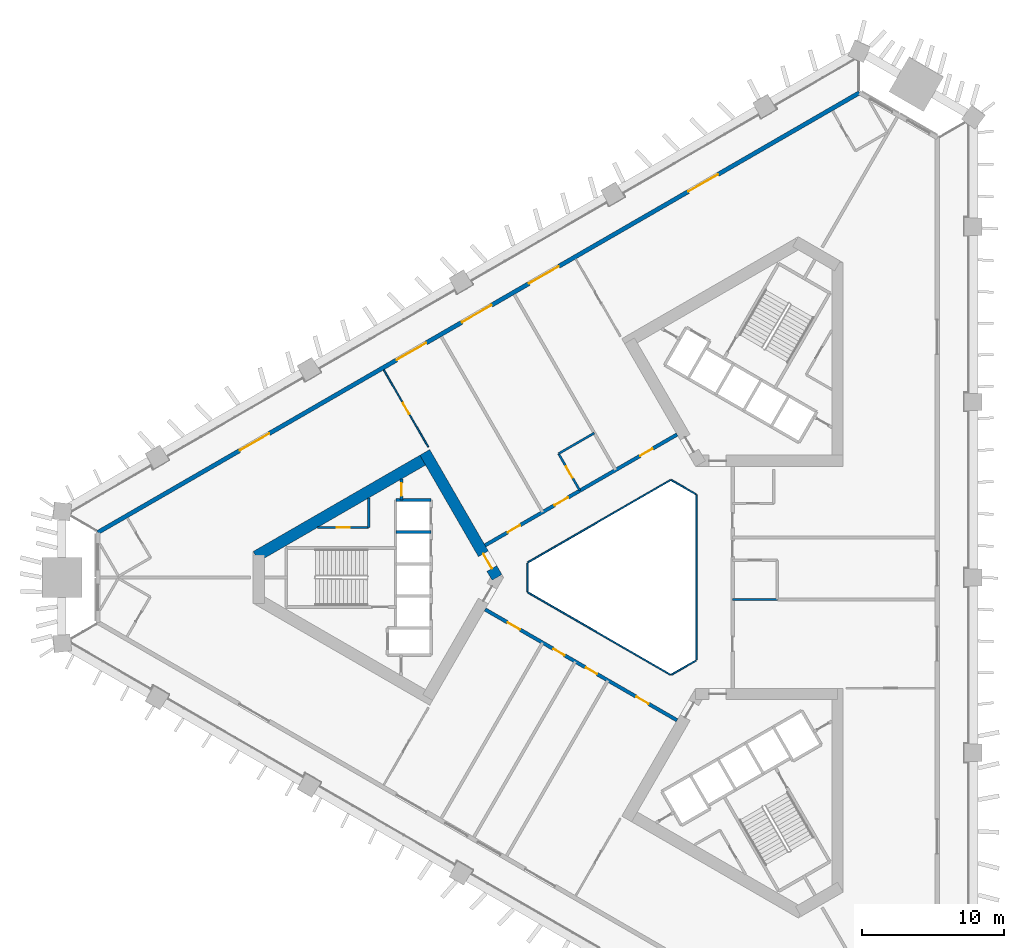
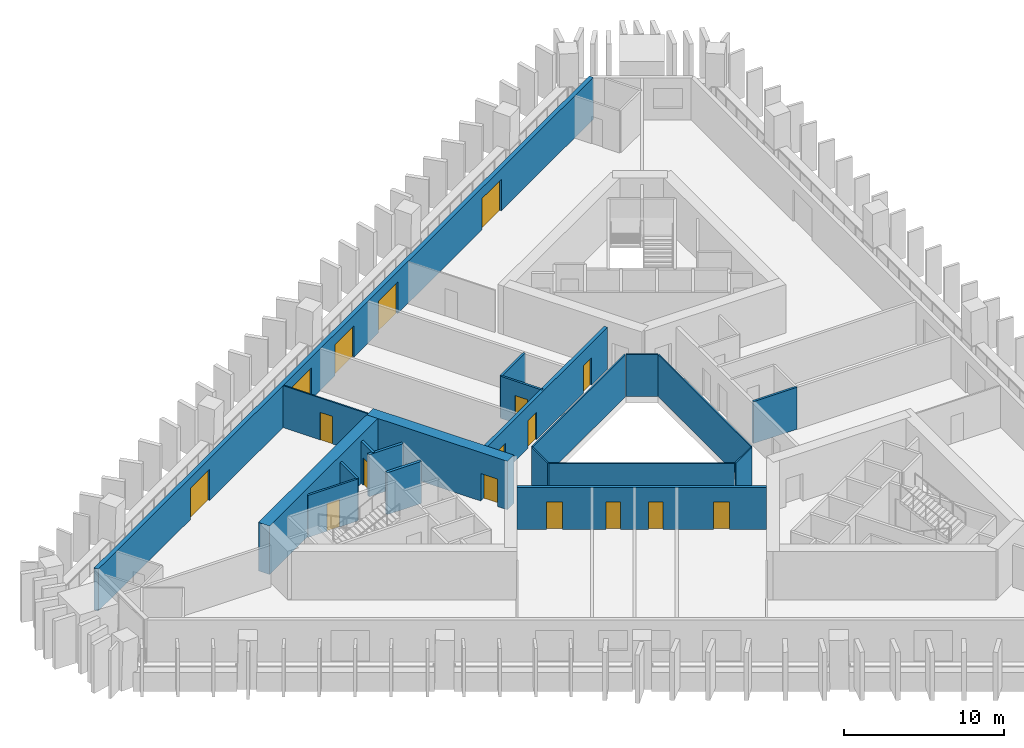
# One storey, part 4 of 10: 20 walls, 17 doors, 17 openings.
"""IFC4 building model written with IfcOpenShell, lengths in metres."""

from ifc_helpers import new_model, si_unit, direction, frame, frame_2d, origin, place, context, subcontext, project, spatial, rectangle, extrude, material, layer, layer_set, type_object, element, fill, save


model = new_model("IFC4")

# Units and contexts
model_context = context("Model", 3, precision=1e-05, world=origin(), true_north=direction((0.0, 1.0)))
body_context = subcontext(model_context, "Body", "Model", "MODEL_VIEW")
ifc_project = project(units=[si_unit("LENGTHUNIT", "METRE"), si_unit("AREAUNIT", "SQUARE_METRE"), si_unit("VOLUMEUNIT", "CUBIC_METRE"), si_unit("PLANEANGLEUNIT", "RADIAN"), si_unit("MASSUNIT", "GRAM", prefix="KILO")], contexts=[model_context])

# Site, building, storey
site_placement = place(None, origin())
site = spatial("IfcSite", under=ifc_project, at=site_placement, CompositionType="ELEMENT")
building_placement = place(site_placement, origin())
building = spatial("IfcBuilding", under=site, at=building_placement, Name="Jabali Bay Hotel Tower and Convention Centre", CompositionType="ELEMENT")
storey_placement = place(building_placement, frame((0.0, 0.0, 30.0)))
storey = spatial("IfcBuildingStorey", under=building, at=storey_placement, Name="L05", CompositionType="ELEMENT", Elevation=30.0)

# Walls
ifc_material_1 = material(Name="Fire-resistant glazing", Category="glass")
ifc_layer_1 = layer(ifc_material_1, 0.10009765625)
ifc_layer_set_1 = layer_set([ifc_layer_1], Name="Fire-resistant glazing")
wall_type_1 = type_object("IfcWallType", Name="Atrium glazed screen 100", PredefinedType="PARTITIONING", material=ifc_layer_set_1)
wall_1_placement = place(storey_placement, frame((79.56005859375, 74.205810546875, 0.0), z_axis=(0.0, 0.0, 1.0), x_axis=(0.0, 1.0, 0.0)))
element("IfcWall", 1, at=wall_1_placement, inside=storey, type_object=wall_type_1, Name="Atrium screen 1 L05", PredefinedType="PARTITIONING", context=body_context, shape_type="SweptSolid", body=[
    extrude(rectangle(XDim=11.58837890625, YDim=0.10009765625, at=frame_2d((5.794189453125, 0.0))), origin(), (0.0, 0.0, 1.0), 3.199951171875),
])
wall_2_placement = place(storey_placement, frame((79.530029296875, 85.84619140625, 0.0), z_axis=(0.0, 0.0, 1.0), x_axis=(-0.866041268327, 0.499972520799, 0.0)))
element("IfcWall", 2, at=wall_2_placement, inside=storey, type_object=wall_type_1, Name="Atrium screen 2 L05", PredefinedType="PARTITIONING", context=body_context, shape_type="SweptSolid", body=[
    extrude(rectangle(XDim=2.0, YDim=0.10009765625, at=frame_2d((1.0, 0.0))), origin(), (0.0, 0.0, 1.0), 3.199951171875),
])
wall_3_placement = place(storey_placement, frame((77.738037109375, 86.84619140625, 0.0), z_axis=(0.0, 0.0, 1.0), x_axis=(-0.866026658274, -0.499997827154, 0.0)))
element("IfcWall", 3, at=wall_3_placement, inside=storey, type_object=wall_type_1, Name="Atrium screen 3 L05", PredefinedType="PARTITIONING", context=body_context, shape_type="SweptSolid", body=[
    extrude(rectangle(XDim=11.58837890625, YDim=0.10009765625, at=frame_2d((5.794189453125, 0.0))), origin(), (0.0, 0.0, 1.0), 3.199951171875),
])
wall_4_placement = place(storey_placement, frame((67.672119140625, 81.0, 0.0), z_axis=(0.0, 0.0, 1.0), x_axis=(0.0, -1.0, 0.0)))
element("IfcWall", 4, at=wall_4_placement, inside=storey, type_object=wall_type_1, Name="Atrium screen 4 L05", PredefinedType="PARTITIONING", context=body_context, shape_type="SweptSolid", body=[
    extrude(rectangle(XDim=2.0, YDim=0.10009765625, at=frame_2d((1.0, 0.0))), origin(), (0.0, 0.0, 1.0), 3.199951171875),
])
wall_5_placement = place(storey_placement, frame((67.7021484375, 78.947998046875, 0.0), z_axis=(0.0, 0.0, 1.0), x_axis=(0.866026658274, -0.499997827154, 0.0)))
element("IfcWall", 5, at=wall_5_placement, inside=storey, type_object=wall_type_1, Name="Atrium screen 5 L05", PredefinedType="PARTITIONING", context=body_context, shape_type="SweptSolid", body=[
    extrude(rectangle(XDim=11.58837890625, YDim=0.10009765625, at=frame_2d((5.794189453125, 0.0))), origin(), (0.0, 0.0, 1.0), 3.199951171875),
])
wall_6_placement = place(storey_placement, frame((77.7978515625, 73.15380859375, 0.0), z_axis=(0.0, 0.0, 1.0), x_axis=(0.866041268327, 0.499972520799, 0.0)))
element("IfcWall", 6, at=wall_6_placement, inside=storey, type_object=wall_type_1, Name="Atrium screen 6 L05", PredefinedType="PARTITIONING", context=body_context, shape_type="SweptSolid", body=[
    extrude(rectangle(XDim=2.0, YDim=0.10009765625, at=frame_2d((1.0, 0.0))), origin(), (0.0, 0.0, 1.0), 3.199951171875),
])

# Wall, opening, door
ifc_material_2 = material(Name="Concrete C40", Category="concrete")
ifc_layer_2 = layer(ifc_material_2, 0.199951171875)
ifc_layer_set_2 = layer_set([ifc_layer_2], Name="Concrete C40")
wall_type_2 = type_object("IfcWallType", Name="Core partition wall 200", PredefinedType="PARTITIONING", material=ifc_layer_set_2)
wall_7_placement = place(storey_placement, frame((58.820068359375, 86.916748046875, 0.0), z_axis=(0.0, 0.0, 1.0), x_axis=(0.0, -1.0, 0.0)))
wall_7 = element("IfcWall", 7, at=wall_7_placement, inside=storey, type_object=wall_type_2, Name="Core wall 0.11 L05", PredefinedType="PARTITIONING", context=body_context, shape_type="SweptSolid", body=[
    extrude(rectangle(XDim=1.466796875, YDim=0.199951171875, at=frame_2d((0.7333984375, 0.0))), origin(), (0.0, 0.0, 1.0), 3.199951171875),
])
opening_1_placement = place(wall_7_placement, frame((0.283447265625, 0.0, 0.0)))
opening_1 = element("IfcOpeningElement", 8, at=opening_1_placement, cuts=wall_7, Name="Opening D201", PredefinedType="OPENING", context=body_context, shape_type="SweptSolid", body=[
    extrude(rectangle(XDim=0.89990234375, YDim=2.10009765625, at=frame_2d((0.449951171875, 1.050048828125))), frame((0.0, 0.1103515625, 0.0), z_axis=(0.0, -1.0, 0.0), x_axis=(1.0, 0.0, 0.0)), (0.0, 0.0, 1.0), 0.220947265625),
])
ifc_material_3 = material(Name="Fire-rated steel door", Category="steel")
door_type_1 = type_object("IfcDoorType", Name="Vestibule fire door 900 x 2100", OperationType="NOTDEFINED", PredefinedType="NOTDEFINED", material=ifc_material_3)
door_1_placement = place(opening_1_placement, origin())
door_1 = element("IfcDoor", 9, at=door_1_placement, inside=storey, type_object=door_type_1, Name="Vestibule fire door D201", OperationType="SINGLE_SWING_LEFT", OverallHeight=2.10009765625, OverallWidth=0.89990234375, PredefinedType="NOTDEFINED", context=body_context, shape_type="SweptSolid", body=[
    extrude(rectangle(XDim=0.89990234375, YDim=2.10009765625, at=frame_2d((0.449951171875, 1.050048828125))), frame((0.0, 0.02490234375, 0.0), z_axis=(0.0, -1.0, 0.0), x_axis=(1.0, 0.0, 0.0)), (0.0, 0.0, 1.0), 0.050048828125),
])
fill(opening_1, door_1)

ifc_material_4 = material(Name="Fire-rated board partition")
ifc_layer_3 = layer(ifc_material_4, 0.14990234375)
ifc_layer_set_3 = layer_set([ifc_layer_3], Name="Fire-rated board partition")
wall_type_3 = type_object("IfcWallType", Name="Core room partition 150", PredefinedType="PARTITIONING", material=ifc_layer_set_3)
wall_8_placement = place(storey_placement, frame((56.52001953125, 83.5, 0.0), z_axis=(0.0, 0.0, 1.0), x_axis=(-1.0, 0.0, 0.0)))
wall_8 = element("IfcWall", 10, at=wall_8_placement, inside=storey, type_object=wall_type_3, Name="Core wall 0.1 L05", PredefinedType="PARTITIONING", context=body_context, shape_type="SweptSolid", body=[
    extrude(rectangle(XDim=3.617919921875, YDim=0.14990234375, at=frame_2d((1.80908203125, 0.0))), origin(), (0.0, 0.0, 1.0), 3.199951171875),
])
opening_2_placement = place(wall_8_placement, frame((1.33154296875, 0.0, 0.0)))
opening_2 = element("IfcOpeningElement", 11, at=opening_2_placement, cuts=wall_8, Name="Opening D203", PredefinedType="OPENING", context=body_context, shape_type="SweptSolid", body=[
    extrude(rectangle(XDim=0.89990234375, YDim=2.10009765625, at=frame_2d((0.449951171875, 1.050048828125))), frame((0.0, 0.08544921875, 0.0), z_axis=(0.0, -1.0, 0.0), x_axis=(1.0, 0.0, 0.0)), (0.0, 0.0, 1.0), 0.1708984375),
])
door_type_2 = type_object("IfcDoorType", Name="Core room door 900 x 2100", OperationType="NOTDEFINED", PredefinedType="NOTDEFINED", material=ifc_material_3)
door_2_placement = place(opening_2_placement, origin())
door_2 = element("IfcDoor", 12, at=door_2_placement, inside=storey, type_object=door_type_2, Name="Core room door D203", OperationType="SINGLE_SWING_LEFT", OverallHeight=2.10009765625, OverallWidth=0.89990234375, PredefinedType="NOTDEFINED", context=body_context, shape_type="SweptSolid", body=[
    extrude(rectangle(XDim=0.89990234375, YDim=2.10009765625, at=frame_2d((0.449951171875, 1.050048828125))), frame((0.0, 0.02490234375, 0.0), z_axis=(0.0, -1.0, 0.0), x_axis=(1.0, 0.0, 0.0)), (0.0, 0.0, 1.0), 0.050048828125),
])
fill(opening_2, door_2)

# Walls
wall_9_placement = place(storey_placement, frame((56.52001953125, 85.5888671875, 0.0), z_axis=(0.0, 0.0, 1.0), x_axis=(0.0, -1.0, 0.0)))
element("IfcWall", 13, at=wall_9_placement, inside=storey, type_object=wall_type_3, Name="Core wall 0.15 L05", PredefinedType="PARTITIONING", context=body_context, shape_type="SweptSolid", body=[
    extrude(rectangle(XDim=2.0888671875, YDim=0.14990234375, at=frame_2d((1.04443359375, 0.0))), origin(), (0.0, 0.0, 1.0), 3.199951171875),
])
ifc_layer_4 = layer(ifc_material_2, 0.199951171875)
ifc_layer_set_4 = layer_set([ifc_layer_4], Name="Concrete C40")
wall_type_4 = type_object("IfcWallType", Name="Core stair wall 200", PredefinedType="SOLIDWALL", material=ifc_layer_set_4)
for number, where, z_axis, x_axis, name in (
    (14, (60.89990234375, 85.449951171875, 0.0), (0.0, 0.0, 1.0), (-1.0, 0.0, 0.0), "Core wall 0.0 L05"),
    (15, (60.89990234375, 83.199951171875, 0.0), (0.0, 0.0, 1.0), (-1.0, 0.0, 0.0), "Core wall 0.2 L05"),
):
    element("IfcWall", number, at=place(storey_placement, frame(where, z_axis=z_axis, x_axis=x_axis)), inside=storey, type_object=wall_type_4, Name=name, PredefinedType="SOLIDWALL", context=body_context, shape_type="SweptSolid", body=[
        extrude(rectangle(XDim=2.47998046875, YDim=0.199951171875, at=frame_2d((1.239990234375, 0.0))), origin(), (0.0, 0.0, 1.0), 3.199951171875),
    ])

# Wall, opening, door
ifc_material_5 = material(Name="Concrete C60", Category="concrete")
ifc_layer_5 = layer(ifc_material_5, 0.800048828125)
ifc_layer_set_5 = layer_set([ifc_layer_5], Name="Concrete C60")
wall_type_5 = type_object("IfcWallType", Name="Core wall 800", PredefinedType="SHEAR", material=ifc_layer_set_5)
wall_10_placement = place(storey_placement, frame((65.5380859375, 80.0, 0.0), z_axis=(0.0, 0.0, 1.0), x_axis=(-0.49999662545, 0.866027352073, 0.0)))
wall_10 = element("IfcWall", 16, at=wall_10_placement, inside=storey, type_object=wall_type_5, Name="Core wall 1.1 L05", PredefinedType="SHEAR", context=body_context, shape_type="SweptSolid", body=[
    extrude(rectangle(XDim=10.14892578125, YDim=0.800048828125, at=frame_2d((5.074462890625, 0.0))), origin(), (0.0, 0.0, 1.0), 3.699951171875),
])
opening_3_placement = place(wall_10_placement, frame((0.718994140625, 0.0, 0.0)))
opening_3 = element("IfcOpeningElement", 17, at=opening_3_placement, cuts=wall_10, Name="Opening D198", PredefinedType="OPENING", context=body_context, shape_type="SweptSolid", body=[
    extrude(rectangle(XDim=1.199951171875, YDim=2.10009765625, at=frame_2d((0.60009765625, 1.050048828125))), frame((0.0, 0.41064453125, 0.0), z_axis=(0.0, -1.0, 0.0), x_axis=(1.0, 0.0, 0.0)), (0.0, 0.0, 1.0), 0.821044921875),
])
door_type_3 = type_object("IfcDoorType", Name="Corridor end fire door 1200 x 2100", OperationType="NOTDEFINED", PredefinedType="NOTDEFINED", material=ifc_material_3)
door_3_placement = place(opening_3_placement, origin())
door_3 = element("IfcDoor", 18, at=door_3_placement, inside=storey, type_object=door_type_3, Name="Corridor end fire door D198", OperationType="SINGLE_SWING_RIGHT", OverallHeight=2.10009765625, OverallWidth=1.199951171875, PredefinedType="NOTDEFINED", context=body_context, shape_type="SweptSolid", body=[
    extrude(rectangle(XDim=1.199951171875, YDim=2.10009765625, at=frame_2d((0.60009765625, 1.050048828125))), frame((0.0, 0.02490234375, 0.0), z_axis=(0.0, -1.0, 0.0), x_axis=(1.0, 0.0, 0.0)), (0.0, 0.0, 1.0), 0.050048828125),
])
fill(opening_3, door_3)

# Wall
wall_11_placement = place(storey_placement, frame((60.66357421875, 88.44287109375, 0.0), z_axis=(0.0, 0.0, 1.0), x_axis=(-0.866029478545, -0.499992942241, 0.0)))
element("IfcWall", 19, at=wall_11_placement, inside=storey, type_object=wall_type_5, Name="Core wall 1.2 L05", PredefinedType="SHEAR", context=body_context, shape_type="SweptSolid", body=[
    extrude(rectangle(XDim=13.933349609375, YDim=0.800048828125, at=frame_2d((6.966796875, 0.0))), origin(), (0.0, 0.0, 1.0), 3.699951171875),
])

# Wall, openings, doors
ifc_layer_6 = layer(ifc_material_5, 0.25)
ifc_layer_set_6 = layer_set([ifc_layer_6], Name="Concrete C60")
wall_type_6 = type_object("IfcWallType", Name="Corridor wall 250", PredefinedType="SHEAR", material=ifc_layer_set_6)
wall_12_placement = place(storey_placement, frame((78.199951171875, 90.0458984375, 0.0), z_axis=(0.0, 0.0, 1.0), x_axis=(-0.866026492143, -0.499998114903, 0.0)))
wall_12 = element("IfcWall", 20, at=wall_12_placement, inside=storey, type_object=wall_type_6, Name="Corridor wall 2 L05", PredefinedType="SHEAR", context=body_context, shape_type="SweptSolid", body=[
    extrude(rectangle(XDim=15.58837890625, YDim=0.25, at=frame_2d((7.794189453125, 0.0))), origin(), (0.0, 0.0, 1.0), 3.199951171875),
])
opening_4_placement = place(wall_12_placement, frame((1.994140625, 0.0, 0.0)))
opening_4 = element("IfcOpeningElement", 21, at=opening_4_placement, cuts=wall_12, Name="Opening 0508", PredefinedType="OPENING", context=body_context, shape_type="SweptSolid", body=[
    extrude(rectangle(XDim=1.0, YDim=2.10009765625, at=frame_2d((0.5, 1.050048828125))), frame((0.0, 0.135498046875, 0.0), z_axis=(0.0, -1.0, 0.0), x_axis=(1.0, 0.0, 0.0)), (0.0, 0.0, 1.0), 0.27099609375),
])
opening_5_placement = place(wall_12_placement, frame((8.85009765625, 0.0, 0.0)))
opening_5 = element("IfcOpeningElement", 22, at=opening_5_placement, cuts=wall_12, Name="Opening 0512", PredefinedType="OPENING", context=body_context, shape_type="SweptSolid", body=[
    extrude(rectangle(XDim=1.10009765625, YDim=2.10009765625, at=frame_2d((0.550048828125, 1.050048828125))), frame((0.0, 0.135498046875, 0.0), z_axis=(0.0, -1.0, 0.0), x_axis=(1.0, 0.0, 0.0)), (0.0, 0.0, 1.0), 0.27099609375),
])
opening_6_placement = place(wall_12_placement, frame((12.750244140625, 0.0, 0.0)))
opening_6 = element("IfcOpeningElement", 23, at=opening_6_placement, cuts=wall_12, Name="Opening 0513", PredefinedType="OPENING", context=body_context, shape_type="SweptSolid", body=[
    extrude(rectangle(XDim=1.0, YDim=2.10009765625, at=frame_2d((0.5, 1.050048828125))), frame((0.0, 0.135498046875, 0.0), z_axis=(0.0, -1.0, 0.0), x_axis=(1.0, 0.0, 0.0)), (0.0, 0.0, 1.0), 0.27099609375),
])
ifc_material_6 = material(Name="Timber", Category="wood")
door_type_4 = type_object("IfcDoorType", Name="Accessible guest room door 1100 x 2100", OperationType="NOTDEFINED", PredefinedType="NOTDEFINED", material=ifc_material_6)
door_4_placement = place(opening_5_placement, origin())
door_4 = element("IfcDoor", 24, at=door_4_placement, inside=storey, type_object=door_type_4, Name="Door 0512", OperationType="SINGLE_SWING_RIGHT", OverallHeight=2.10009765625, OverallWidth=1.10009765625, PredefinedType="NOTDEFINED", context=body_context, shape_type="SweptSolid", body=[
    extrude(rectangle(XDim=1.10009765625, YDim=2.10009765625, at=frame_2d((0.550048828125, 1.050048828125))), frame((0.0, 0.02490234375, 0.0), z_axis=(0.0, -1.0, 0.0), x_axis=(1.0, 0.0, 0.0)), (0.0, 0.0, 1.0), 0.050048828125),
])
fill(opening_5, door_4)
door_type_5 = type_object("IfcDoorType", Name="Guest room door 1000 x 2100", OperationType="NOTDEFINED", PredefinedType="NOTDEFINED", material=ifc_material_6)
door_5_placement = place(opening_4_placement, origin())
door_5 = element("IfcDoor", 25, at=door_5_placement, inside=storey, type_object=door_type_5, Name="Door 0508", OperationType="SINGLE_SWING_LEFT", OverallHeight=2.10009765625, OverallWidth=1.0, PredefinedType="NOTDEFINED", context=body_context, shape_type="SweptSolid", body=[
    extrude(rectangle(XDim=1.0, YDim=2.10009765625, at=frame_2d((0.5, 1.050048828125))), frame((0.0, 0.02490234375, 0.0), z_axis=(0.0, -1.0, 0.0), x_axis=(1.0, 0.0, 0.0)), (0.0, 0.0, 1.0), 0.050048828125),
])
fill(opening_4, door_5)
door_6_placement = place(opening_6_placement, origin())
door_6 = element("IfcDoor", 26, at=door_6_placement, inside=storey, type_object=door_type_5, Name="Door 0513", OperationType="SINGLE_SWING_RIGHT", OverallHeight=2.10009765625, OverallWidth=1.0, PredefinedType="NOTDEFINED", context=body_context, shape_type="SweptSolid", body=[
    extrude(rectangle(XDim=1.0, YDim=2.10009765625, at=frame_2d((0.5, 1.050048828125))), frame((0.0, 0.02490234375, 0.0), z_axis=(0.0, -1.0, 0.0), x_axis=(1.0, 0.0, 0.0)), (0.0, 0.0, 1.0), 0.050048828125),
])
fill(opening_6, door_6)

wall_13_placement = place(storey_placement, frame((64.699951171875, 77.748291015625, 0.0), z_axis=(0.0, 0.0, 1.0), x_axis=(0.866026492143, -0.499998114903, 0.0)))
wall_13 = element("IfcWall", 27, at=wall_13_placement, inside=storey, type_object=wall_type_6, Name="Corridor wall 3 L05", PredefinedType="SHEAR", context=body_context, shape_type="SweptSolid", body=[
    extrude(rectangle(XDim=15.58837890625, YDim=0.25, at=frame_2d((7.794189453125, 0.0))), origin(), (0.0, 0.0, 1.0), 3.199951171875),
])
opening_7_placement = place(wall_13_placement, frame((1.83837890625, 0.0, 0.0)))
opening_7 = element("IfcOpeningElement", 28, at=opening_7_placement, cuts=wall_13, Name="Opening 0516", PredefinedType="OPENING", context=body_context, shape_type="SweptSolid", body=[
    extrude(rectangle(XDim=1.0, YDim=2.10009765625, at=frame_2d((0.5, 1.050048828125))), frame((0.0, 0.135498046875, 0.0), z_axis=(0.0, -1.0, 0.0), x_axis=(1.0, 0.0, 0.0)), (0.0, 0.0, 1.0), 0.27099609375),
])
opening_8_placement = place(wall_13_placement, frame((5.551513671875, 0.0, 0.0)))
opening_8 = element("IfcOpeningElement", 29, at=opening_8_placement, cuts=wall_13, Name="Opening 0519", PredefinedType="OPENING", context=body_context, shape_type="SweptSolid", body=[
    extrude(rectangle(XDim=0.89990234375, YDim=2.10009765625, at=frame_2d((0.449951171875, 1.050048828125))), frame((0.0, 0.135498046875, 0.0), z_axis=(0.0, -1.0, 0.0), x_axis=(1.0, 0.0, 0.0)), (0.0, 0.0, 1.0), 0.27099609375),
])
opening_9_placement = place(wall_13_placement, frame((8.20166015625, 0.0, 0.0)))
opening_9 = element("IfcOpeningElement", 30, at=opening_9_placement, cuts=wall_13, Name="Opening 0520", PredefinedType="OPENING", context=body_context, shape_type="SweptSolid", body=[
    extrude(rectangle(XDim=0.89990234375, YDim=2.10009765625, at=frame_2d((0.449951171875, 1.050048828125))), frame((0.0, 0.135498046875, 0.0), z_axis=(0.0, -1.0, 0.0), x_axis=(1.0, 0.0, 0.0)), (0.0, 0.0, 1.0), 0.27099609375),
])
opening_10_placement = place(wall_13_placement, frame((12.282470703125, 0.0, 0.0)))
opening_10 = element("IfcOpeningElement", 31, at=opening_10_placement, cuts=wall_13, Name="Opening 0521", PredefinedType="OPENING", context=body_context, shape_type="SweptSolid", body=[
    extrude(rectangle(XDim=1.0, YDim=2.10009765625, at=frame_2d((0.5, 1.050048828125))), frame((0.0, 0.135498046875, 0.0), z_axis=(0.0, -1.0, 0.0), x_axis=(1.0, 0.0, 0.0)), (0.0, 0.0, 1.0), 0.27099609375),
])
door_7_placement = place(opening_7_placement, origin())
door_7 = element("IfcDoor", 32, at=door_7_placement, inside=storey, type_object=door_type_5, Name="Door 0516", OperationType="SINGLE_SWING_LEFT", OverallHeight=2.10009765625, OverallWidth=1.0, PredefinedType="NOTDEFINED", context=body_context, shape_type="SweptSolid", body=[
    extrude(rectangle(XDim=1.0, YDim=2.10009765625, at=frame_2d((0.5, 1.050048828125))), frame((0.0, 0.02490234375, 0.0), z_axis=(0.0, -1.0, 0.0), x_axis=(1.0, 0.0, 0.0)), (0.0, 0.0, 1.0), 0.050048828125),
])
fill(opening_7, door_7)
door_8_placement = place(opening_10_placement, origin())
door_8 = element("IfcDoor", 33, at=door_8_placement, inside=storey, type_object=door_type_5, Name="Door 0521", OperationType="SINGLE_SWING_RIGHT", OverallHeight=2.10009765625, OverallWidth=1.0, PredefinedType="NOTDEFINED", context=body_context, shape_type="SweptSolid", body=[
    extrude(rectangle(XDim=1.0, YDim=2.10009765625, at=frame_2d((0.5, 1.050048828125))), frame((0.0, 0.02490234375, 0.0), z_axis=(0.0, -1.0, 0.0), x_axis=(1.0, 0.0, 0.0)), (0.0, 0.0, 1.0), 0.050048828125),
])
fill(opening_10, door_8)
door_type_6 = type_object("IfcDoorType", Name="Internal door 900 x 2100", OperationType="NOTDEFINED", PredefinedType="NOTDEFINED", material=ifc_material_6)
door_9_placement = place(opening_8_placement, origin())
door_9 = element("IfcDoor", 34, at=door_9_placement, inside=storey, type_object=door_type_6, Name="Door 0519", OperationType="SINGLE_SWING_LEFT", OverallHeight=2.10009765625, OverallWidth=0.89990234375, PredefinedType="NOTDEFINED", context=body_context, shape_type="SweptSolid", body=[
    extrude(rectangle(XDim=0.89990234375, YDim=2.10009765625, at=frame_2d((0.449951171875, 1.050048828125))), frame((0.0, 0.02490234375, 0.0), z_axis=(0.0, -1.0, 0.0), x_axis=(1.0, 0.0, 0.0)), (0.0, 0.0, 1.0), 0.050048828125),
])
fill(opening_8, door_9)
door_10_placement = place(opening_9_placement, origin())
door_10 = element("IfcDoor", 35, at=door_10_placement, inside=storey, type_object=door_type_6, Name="Door 0520", OperationType="SINGLE_SWING_RIGHT", OverallHeight=2.10009765625, OverallWidth=0.89990234375, PredefinedType="NOTDEFINED", context=body_context, shape_type="SweptSolid", body=[
    extrude(rectangle(XDim=0.89990234375, YDim=2.10009765625, at=frame_2d((0.449951171875, 1.050048828125))), frame((0.0, 0.02490234375, 0.0), z_axis=(0.0, -1.0, 0.0), x_axis=(1.0, 0.0, 0.0)), (0.0, 0.0, 1.0), 0.050048828125),
])
fill(opening_9, door_10)

ifc_layer_7 = layer(ifc_material_2, 0.300048828125)
ifc_layer_set_7 = layer_set([ifc_layer_7], Name="Concrete C40")
wall_type_7 = type_object("IfcWallType", Name="External wall 300", PredefinedType="SOLIDWALL", material=ifc_layer_set_7)
wall_14_placement = place(storey_placement, frame((37.479248046875, 83.163330078125, 0.0), z_axis=(0.0, 0.0, 1.0), x_axis=(0.866024340432, 0.500001841776, 0.0)))
wall_14 = element("IfcWall", 36, at=wall_14_placement, inside=storey, type_object=wall_type_7, Name="External wall north-west face L05", PredefinedType="SOLIDWALL", context=body_context, shape_type="SweptSolid", body=[
    extrude(rectangle(XDim=61.824462890625, YDim=0.300048828125, at=frame_2d((30.912109375, 0.0))), origin(), (0.0, 0.0, 1.0), 3.199951171875),
])
opening_11_placement = place(wall_14_placement, frame((29.556396484375, 0.0, 0.0)))
opening_11 = element("IfcOpeningElement", 37, at=opening_11_placement, cuts=wall_14, Name="Opening SD1", PredefinedType="OPENING", context=body_context, shape_type="SweptSolid", body=[
    extrude(rectangle(XDim=2.39990234375, YDim=2.39990234375, at=frame_2d((1.199951171875, 1.199951171875))), frame((0.0, 0.16064453125, 0.0), z_axis=(0.0, -1.0, 0.0), x_axis=(1.0, 0.0, 0.0)), (0.0, 0.0, 1.0), 0.321044921875),
])
opening_12_placement = place(wall_14_placement, frame((35.012451171875, 0.0, 0.0)))
opening_12 = element("IfcOpeningElement", 38, at=opening_12_placement, cuts=wall_14, Name="Opening SD1", PredefinedType="OPENING", context=body_context, shape_type="SweptSolid", body=[
    extrude(rectangle(XDim=2.39990234375, YDim=2.39990234375, at=frame_2d((1.199951171875, 1.199951171875))), frame((0.0, 0.16064453125, 0.0), z_axis=(0.0, -1.0, 0.0), x_axis=(1.0, 0.0, 0.0)), (0.0, 0.0, 1.0), 0.321044921875),
])
opening_13_placement = place(wall_14_placement, frame((47.930419921875, 0.0, 0.0)))
opening_13 = element("IfcOpeningElement", 39, at=opening_13_placement, cuts=wall_14, Name="Opening SD1", PredefinedType="OPENING", context=body_context, shape_type="SweptSolid", body=[
    extrude(rectangle(XDim=2.39990234375, YDim=2.39990234375, at=frame_2d((1.199951171875, 1.199951171875))), frame((0.0, 0.16064453125, 0.0), z_axis=(0.0, -1.0, 0.0), x_axis=(1.0, 0.0, 0.0)), (0.0, 0.0, 1.0), 0.321044921875),
])
opening_14_placement = place(wall_14_placement, frame((24.25634765625, 0.0, 0.0)))
opening_14 = element("IfcOpeningElement", 40, at=opening_14_placement, cuts=wall_14, Name="Opening SD1", PredefinedType="OPENING", context=body_context, shape_type="SweptSolid", body=[
    extrude(rectangle(XDim=2.39990234375, YDim=2.39990234375, at=frame_2d((1.199951171875, 1.199951171875))), frame((0.0, 0.16064453125, 0.0), z_axis=(0.0, -1.0, 0.0), x_axis=(1.0, 0.0, 0.0)), (0.0, 0.0, 1.0), 0.321044921875),
])
opening_15_placement = place(wall_14_placement, frame((11.509033203125, 0.0, 0.0)))
opening_15 = element("IfcOpeningElement", 41, at=opening_15_placement, cuts=wall_14, Name="Opening SD1", PredefinedType="OPENING", context=body_context, shape_type="SweptSolid", body=[
    extrude(rectangle(XDim=2.39990234375, YDim=2.39990234375, at=frame_2d((1.199951171875, 1.199951171875))), frame((0.0, 0.16064453125, 0.0), z_axis=(0.0, -1.0, 0.0), x_axis=(1.0, 0.0, 0.0)), (0.0, 0.0, 1.0), 0.321044921875),
])
ifc_material_7 = material(Name="Glass", Category="glass")
door_type_7 = type_object("IfcDoorType", Name="Loggia sliding door 2400 x 2400", OperationType="NOTDEFINED", PredefinedType="NOTDEFINED", material=ifc_material_7)
door_11_placement = place(opening_11_placement, origin())
door_11 = element("IfcDoor", 42, at=door_11_placement, inside=storey, type_object=door_type_7, Name="Loggia sliding door 505", OperationType="SLIDING_TO_LEFT", OverallHeight=2.39990234375, OverallWidth=2.39990234375, PredefinedType="NOTDEFINED", context=body_context, shape_type="SweptSolid", body=[
    extrude(rectangle(XDim=2.39990234375, YDim=2.39990234375, at=frame_2d((1.199951171875, 1.199951171875))), frame((0.0, 0.02490234375, 0.0), z_axis=(0.0, -1.0, 0.0), x_axis=(1.0, 0.0, 0.0)), (0.0, 0.0, 1.0), 0.050048828125),
])
fill(opening_11, door_11)
door_12_placement = place(opening_12_placement, origin())
door_12 = element("IfcDoor", 43, at=door_12_placement, inside=storey, type_object=door_type_7, Name="Loggia sliding door 504", OperationType="SLIDING_TO_RIGHT", OverallHeight=2.39990234375, OverallWidth=2.39990234375, PredefinedType="NOTDEFINED", context=body_context, shape_type="SweptSolid", body=[
    extrude(rectangle(XDim=2.39990234375, YDim=2.39990234375, at=frame_2d((1.199951171875, 1.199951171875))), frame((0.0, 0.02490234375, 0.0), z_axis=(0.0, -1.0, 0.0), x_axis=(1.0, 0.0, 0.0)), (0.0, 0.0, 1.0), 0.050048828125),
])
fill(opening_12, door_12)
door_13_placement = place(opening_13_placement, origin())
door_13 = element("IfcDoor", 44, at=door_13_placement, inside=storey, type_object=door_type_7, Name="Loggia sliding door 504", OperationType="SLIDING_TO_LEFT", OverallHeight=2.39990234375, OverallWidth=2.39990234375, PredefinedType="NOTDEFINED", context=body_context, shape_type="SweptSolid", body=[
    extrude(rectangle(XDim=2.39990234375, YDim=2.39990234375, at=frame_2d((1.199951171875, 1.199951171875))), frame((0.0, 0.02490234375, 0.0), z_axis=(0.0, -1.0, 0.0), x_axis=(1.0, 0.0, 0.0)), (0.0, 0.0, 1.0), 0.050048828125),
])
fill(opening_13, door_13)
door_14_placement = place(opening_14_placement, origin())
door_14 = element("IfcDoor", 45, at=door_14_placement, inside=storey, type_object=door_type_7, Name="Loggia sliding door 506", OperationType="SLIDING_TO_RIGHT", OverallHeight=2.39990234375, OverallWidth=2.39990234375, PredefinedType="NOTDEFINED", context=body_context, shape_type="SweptSolid", body=[
    extrude(rectangle(XDim=2.39990234375, YDim=2.39990234375, at=frame_2d((1.199951171875, 1.199951171875))), frame((0.0, 0.02490234375, 0.0), z_axis=(0.0, -1.0, 0.0), x_axis=(1.0, 0.0, 0.0)), (0.0, 0.0, 1.0), 0.050048828125),
])
fill(opening_14, door_14)
door_15_placement = place(opening_15_placement, origin())
door_15 = element("IfcDoor", 46, at=door_15_placement, inside=storey, type_object=door_type_7, Name="Loggia sliding door 506", OperationType="SLIDING_TO_LEFT", OverallHeight=2.39990234375, OverallWidth=2.39990234375, PredefinedType="NOTDEFINED", context=body_context, shape_type="SweptSolid", body=[
    extrude(rectangle(XDim=2.39990234375, YDim=2.39990234375, at=frame_2d((1.199951171875, 1.199951171875))), frame((0.0, 0.02490234375, 0.0), z_axis=(0.0, -1.0, 0.0), x_axis=(1.0, 0.0, 0.0)), (0.0, 0.0, 1.0), 0.050048828125),
])
fill(opening_15, door_15)

# Wall, opening, door
ifc_material_8 = material(Name="Plasterboard on steel stud", Category="steel")
ifc_layer_8 = layer(ifc_material_8, 0.10009765625)
ifc_layer_set_8 = layer_set([ifc_layer_8], Name="Plasterboard on steel stud")
wall_type_8 = type_object("IfcWallType", Name="Partition 100 unit", PredefinedType="PARTITIONING", material=ifc_layer_set_8)
wall_15_placement = place(storey_placement, frame((57.574462890625, 94.593505859375, 0.0), z_axis=(0.0, 0.0, 1.0), x_axis=(0.499986391729, -0.866033260381, 0.0)))
wall_15 = element("IfcWall", 47, at=wall_15_placement, inside=storey, type_object=wall_type_8, Name="Partition P02 L05 022", PredefinedType="PARTITIONING", context=body_context, shape_type="SweptSolid", body=[
    extrude(rectangle(XDim=6.272216796875, YDim=0.10009765625, at=frame_2d((3.13623046875, 0.0))), origin(), (0.0, 0.0, 1.0), 3.199951171875),
])
opening_16_placement = place(wall_15_placement, frame((2.68603515625, 0.0, 0.0)))
opening_16 = element("IfcOpeningElement", 48, at=opening_16_placement, cuts=wall_15, Name="Opening 0514", PredefinedType="OPENING", context=body_context, shape_type="SweptSolid", body=[
    extrude(rectangle(XDim=0.89990234375, YDim=2.10009765625, at=frame_2d((0.449951171875, 1.050048828125))), frame((0.0, 0.060546875, 0.0), z_axis=(0.0, -1.0, 0.0), x_axis=(1.0, 0.0, 0.0)), (0.0, 0.0, 1.0), 0.12109375),
])
door_16_placement = place(opening_16_placement, origin())
door_16 = element("IfcDoor", 49, at=door_16_placement, inside=storey, type_object=door_type_6, Name="Door 0514", OperationType="SINGLE_SWING_RIGHT", OverallHeight=2.10009765625, OverallWidth=0.89990234375, PredefinedType="NOTDEFINED", context=body_context, shape_type="SweptSolid", body=[
    extrude(rectangle(XDim=0.89990234375, YDim=2.10009765625, at=frame_2d((0.449951171875, 1.050048828125))), frame((0.0, 0.02490234375, 0.0), z_axis=(0.0, -1.0, 0.0), x_axis=(1.0, 0.0, 0.0)), (0.0, 0.0, 1.0), 0.050048828125),
])
fill(opening_16, door_16)

# Wall
ifc_layer_9 = layer(ifc_material_8, 0.14990234375)
ifc_layer_set_9 = layer_set([ifc_layer_9], Name="Plasterboard on steel stud")
wall_type_9 = type_object("IfcWallType", Name="Partition 150 wet", PredefinedType="PARTITIONING", material=ifc_layer_set_9)
wall_16_placement = place(storey_placement, frame((85.246826171875, 78.441162109375, 0.0), z_axis=(0.0, 0.0, 1.0), x_axis=(-1.0, 0.0, 0.0)))
element("IfcWall", 50, at=wall_16_placement, inside=storey, type_object=wall_type_9, Name="Partition P03 L05 003", PredefinedType="PARTITIONING", context=body_context, shape_type="SweptSolid", body=[
    extrude(rectangle(XDim=3.146728515625, YDim=0.14990234375, at=frame_2d((1.5732421875, 0.0))), origin(), (0.0, 0.0, 1.0), 3.199951171875),
])

# Wall, opening, door
wall_17_placement = place(storey_placement, frame((71.368408203125, 86.101806640625, 0.0), z_axis=(0.0, 0.0, 1.0), x_axis=(-0.50002537861, 0.866010750942, 0.0)))
wall_17 = element("IfcWall", 51, at=wall_17_placement, inside=storey, type_object=wall_type_9, Name="Partition P03 L05 019", PredefinedType="PARTITIONING", context=body_context, shape_type="SweptSolid", body=[
    extrude(rectangle(XDim=2.999755859375, YDim=0.14990234375, at=frame_2d((1.5, 0.0))), origin(), (0.0, 0.0, 1.0), 3.199951171875),
])
opening_17_placement = place(wall_17_placement, frame((1.050048828125, 0.0, 0.0)))
opening_17 = element("IfcOpeningElement", 52, at=opening_17_placement, cuts=wall_17, Name="Opening 0511", PredefinedType="OPENING", context=body_context, shape_type="SweptSolid", body=[
    extrude(rectangle(XDim=0.89990234375, YDim=2.10009765625, at=frame_2d((0.449951171875, 1.050048828125))), frame((0.0, 0.08544921875, 0.0), z_axis=(0.0, -1.0, 0.0), x_axis=(1.0, 0.0, 0.0)), (0.0, 0.0, 1.0), 0.1708984375),
])
door_type_8 = type_object("IfcDoorType", Name="Accessible en-suite door 900 x 2100", OperationType="NOTDEFINED", PredefinedType="NOTDEFINED", material=ifc_material_6)
door_17_placement = place(opening_17_placement, origin())
door_17 = element("IfcDoor", 53, at=door_17_placement, inside=storey, type_object=door_type_8, Name="Door 0511", OperationType="SINGLE_SWING_LEFT", OverallHeight=2.10009765625, OverallWidth=0.89990234375, PredefinedType="NOTDEFINED", context=body_context, shape_type="SweptSolid", body=[
    extrude(rectangle(XDim=0.89990234375, YDim=2.10009765625, at=frame_2d((0.449951171875, 1.050048828125))), frame((0.0, 0.02490234375, 0.0), z_axis=(0.0, -1.0, 0.0), x_axis=(1.0, 0.0, 0.0)), (0.0, 0.0, 1.0), 0.050048828125),
])
fill(opening_17, door_17)

# Wall
wall_18_placement = place(storey_placement, frame((69.868408203125, 88.69970703125, 0.0), z_axis=(0.0, 0.0, 1.0), x_axis=(0.865996321171, 0.50005036918, 0.0)))
element("IfcWall", 54, at=wall_18_placement, inside=storey, type_object=wall_type_9, Name="Partition P03 L05 020", PredefinedType="PARTITIONING", context=body_context, shape_type="SweptSolid", body=[
    extrude(rectangle(XDim=2.900146484375, YDim=0.14990234375, at=frame_2d((1.4501953125, 0.0))), origin(), (0.0, 0.0, 1.0), 3.199951171875),
])

save(model, "model.ifc")
